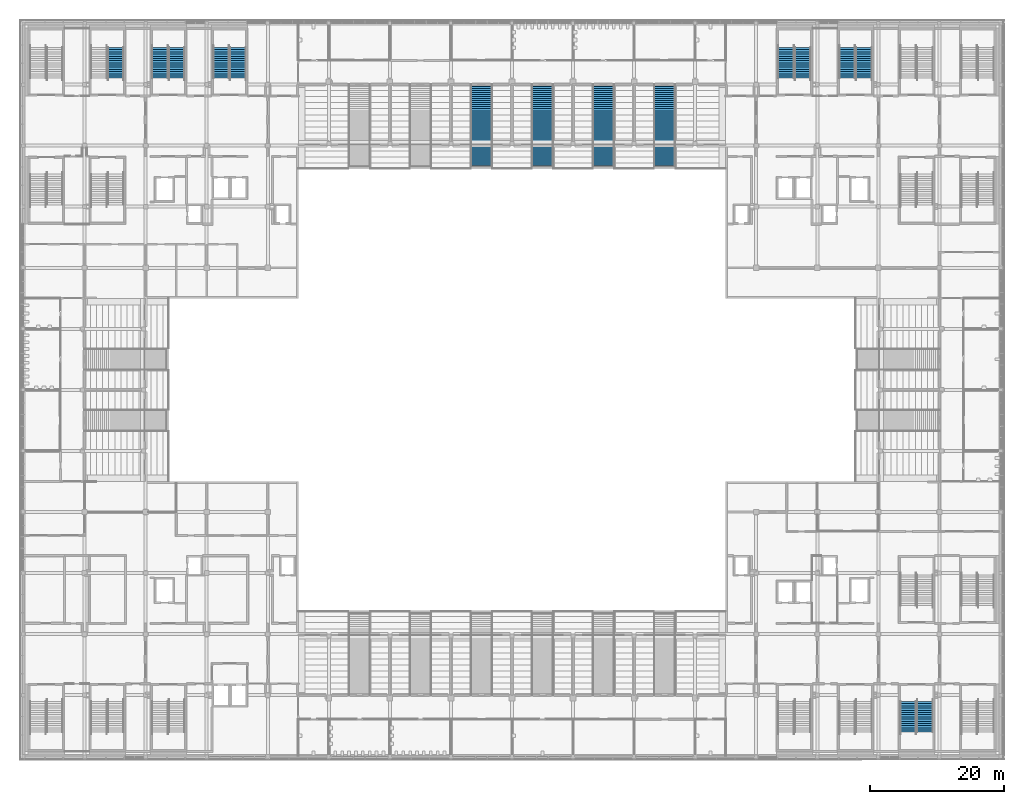
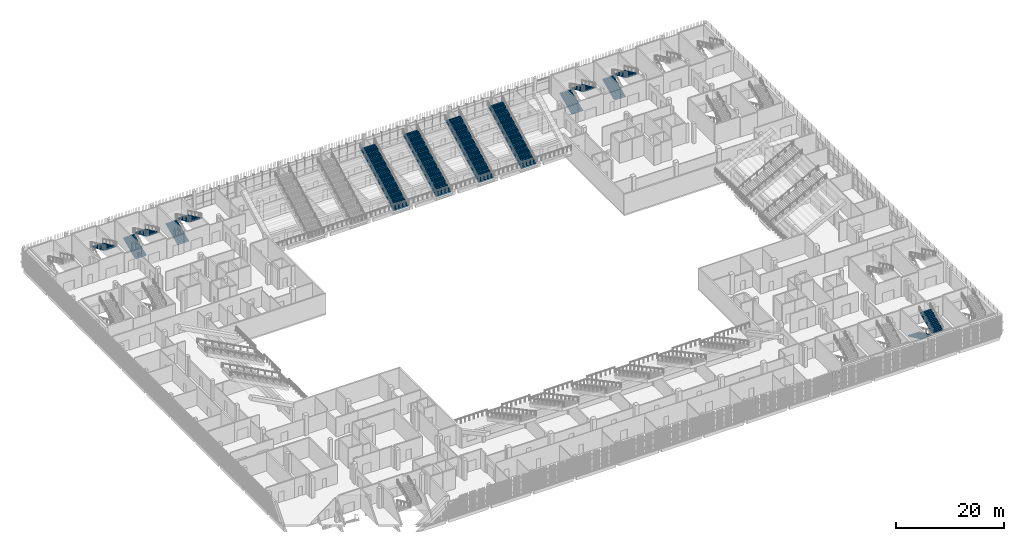
# One storey, part 94 of 139: 15 stair flights, 10 elements without a shape of their own.
"""IFC4 building model written with IfcOpenShell, lengths in metres."""

import ifcopenshell
import ifcopenshell.guid

model = None  # the IFC model being written
_history = None  # IfcOwnerHistory: only IFC2X3 demands one
_inside = {}  # id of a spatial element -> (the spatial element, [elements in it])
_under = {}  # id of a project, library or spatial element -> (it, [spatial elements below it])
_declared = {}  # id of a project -> (the project, [libraries it declares])
_typed = {}  # id of a type object -> (the type object, [elements of that type])
_made_of = {}  # id of a material, layer set ... -> (it, [elements and type objects made of it])


def new_model(schema):
    """Start an empty IFC model of exactly this schema.

    Asked for "IFC4X3", IfcOpenShell would pick the latest addendum, in which some entities
    have other attributes; the version numbers below select the first issue.
    IFC2X3 requires an IfcOwnerHistory on every rooted entity: one is made here for all.
    """
    global model, _history
    if schema == "IFC4X3":
        model = ifcopenshell.file(schema_version=(4, 3, 0, 0))
    else:
        model = ifcopenshell.file(schema=schema)
    _inside.clear()
    _under.clear()
    _declared.clear()
    _typed.clear()
    _made_of.clear()
    _history = None
    if model.schema == "IFC2X3":
        org = make("IfcOrganization", Name="unknown")
        user = make(
            "IfcPersonAndOrganization",
            ThePerson=make("IfcPerson", FamilyName="unknown"),
            TheOrganization=org,
        )
        app = make(
            "IfcApplication",
            ApplicationDeveloper=org,
            Version="unknown",
            ApplicationFullName="unknown",
            ApplicationIdentifier="unknown",
        )
        _history = make(
            "IfcOwnerHistory",
            OwningUser=user,
            OwningApplication=app,
            ChangeAction="ADDED",
            CreationDate=0,
        )
    return model


def make(cls, **values):
    """One entity of the class cls with the attributes given. An attribute that is None is left unset."""
    return model.create_entity(
        cls, **{name: value for name, value in values.items() if value is not None}
    )


def rooted(cls, **values):
    """An entity with a GlobalId (a new one), such as an element, a storey or a relation."""
    return make(cls, GlobalId=ifcopenshell.guid.new(), OwnerHistory=_history, **values)


def si_unit(unit_type, name, prefix=None):
    """IfcSIUnit, for example si_unit("LENGTHUNIT", "METRE", prefix="MILLI")."""
    return make("IfcSIUnit", UnitType=unit_type, Prefix=prefix, Name=name)


def assignment(units):
    """IfcUnitAssignment: the units of a project."""
    return None if units is None else make("IfcUnitAssignment", Units=units)


def point(xyz):
    """IfcCartesianPoint."""
    return None if xyz is None else make("IfcCartesianPoint", Coordinates=xyz)


def direction(xyz):
    """IfcDirection."""
    return None if xyz is None else make("IfcDirection", DirectionRatios=xyz)


def frame(location, z_axis=None, x_axis=None):
    """IfcAxis2Placement3D, a coordinate frame: its origin and axes. An axis left out is left unset."""
    return make(
        "IfcAxis2Placement3D",
        Location=point(location),
        Axis=direction(z_axis),
        RefDirection=direction(x_axis),
    )


def origin():
    """The frame at (0, 0, 0) with its axes left unset."""
    return frame((0.0, 0.0, 0.0))


def place(relative_to, where):
    """IfcLocalPlacement: puts the frame where relative to a parent placement (None: the world)."""
    return make(
        "IfcLocalPlacement", PlacementRelTo=relative_to, RelativePlacement=where
    )


def context(
    kind, dimensions, precision=None, world=None, true_north=None, identifier=None
):
    """IfcGeometricRepresentationContext, for example the 3D "Model" context."""
    return make(
        "IfcGeometricRepresentationContext",
        ContextIdentifier=identifier,
        ContextType=kind,
        CoordinateSpaceDimension=dimensions,
        Precision=precision,
        WorldCoordinateSystem=world,
        TrueNorth=true_north,
    )


def subcontext(parent, identifier, kind, view, scale=None):
    """IfcGeometricRepresentationSubContext, for example "Body" below "Model"."""
    return make(
        "IfcGeometricRepresentationSubContext",
        ContextIdentifier=identifier,
        ContextType=kind,
        ParentContext=parent,
        TargetScale=scale,
        TargetView=view,
    )


def project(units=None, contexts=None):
    """IfcProject with its units and contexts."""
    return rooted(
        "IfcProject",
        Name="project",
        RepresentationContexts=contexts,
        UnitsInContext=assignment(units),
    )


def spatial(cls, under=None, at=None, **own):
    """A site, building, storey or space (cls), placed at a placement, below another one or the project."""
    s = rooted(cls, ObjectPlacement=at, **own)
    if under is not None:
        _under.setdefault(under.id(), (under, []))[1].append(s)
    return s


def polyline(points):
    """IfcPolyline through the points."""
    return make("IfcPolyline", Points=[point(p) for p in points])


def outline(outer, holes=None, kind="AREA"):
    """IfcArbitraryClosedProfileDef: a profile drawn as a closed curve; with holes, ...WithVoids."""
    if holes is None:
        return make("IfcArbitraryClosedProfileDef", ProfileType=kind, OuterCurve=outer)
    return make(
        "IfcArbitraryProfileDefWithVoids",
        ProfileType=kind,
        OuterCurve=outer,
        InnerCurves=holes,
    )


def extrude(swept, where, along, depth):
    """IfcExtrudedAreaSolid: the profile swept, set in the frame where, extruded along a direction by depth."""
    return make(
        "IfcExtrudedAreaSolid",
        SweptArea=swept,
        Position=where,
        ExtrudedDirection=direction(along),
        Depth=depth,
    )


def shape(context_of_items, identifier, shape_type, items):
    """IfcShapeRepresentation: the items that make up one representation, for example the "Body"."""
    return make(
        "IfcShapeRepresentation",
        ContextOfItems=context_of_items,
        RepresentationIdentifier=identifier,
        RepresentationType=shape_type,
        Items=items,
    )


def material(Name=None, Category=None):
    """IfcMaterial."""
    return make("IfcMaterial", Name=Name, Category=Category)


def made_of(thing, what):
    """Note that an element or type object is made of a material, layer set ...; save() writes the relation."""
    if what is not None:
        _made_of.setdefault(what.id(), (what, []))[1].append(thing)
    return thing


def type_object(cls, material=None, **own):
    """A type object (cls), such as IfcWallType, which elements share."""
    return made_of(rooted(cls, **own), material)


def element(
    cls,
    number,
    at=None,
    inside=None,
    cuts=None,
    type_object=None,
    material=None,
    context=None,
    identifier="Body",
    shape_type=None,
    held_by="IfcProductDefinitionShape",
    body=None,
    shapes=None,
    **own,
):
    """One element of the class cls, such as IfcWall. Its Tag is "e" and its number.

    at: its placement. inside: the storey or other place that contains it. cuts: it is an
    opening in that element (IfcRelVoidsElement). A single representation is given by context,
    identifier, shape_type and body (its items); several are given by shapes. held_by: the class
    of the entity that holds the representations. save() writes the other relations.
    """
    e = rooted(cls, Tag="e%d" % number, ObjectPlacement=at, **own)
    if body is not None:
        shapes = [shape(context, identifier, shape_type, body)]
    if shapes is not None:
        e.Representation = make(held_by, Representations=shapes)
    if inside is not None:
        _inside.setdefault(inside.id(), (inside, []))[1].append(e)
    if cuts is not None:
        rooted(
            "IfcRelVoidsElement", RelatingBuildingElement=cuts, RelatedOpeningElement=e
        )
    if type_object is not None:
        _typed.setdefault(type_object.id(), (type_object, []))[1].append(e)
    return made_of(e, material)


def aggregate(whole, parts):
    """IfcRelAggregates: a whole, such as a stair, and the parts it consists of."""
    return rooted("IfcRelAggregates", RelatingObject=whole, RelatedObjects=parts)


def save(model, path):
    """Write the relations noted so far, then the file.

    IfcRelAggregates (storeys below a building ...), IfcRelContainedInSpatialStructure (elements
    in a storey), IfcRelDefinesByType, IfcRelAssociatesMaterial and IfcRelDeclares: one each for
    every whole, place, type object, material and project.
    """
    for whole, parts in _under.values():
        aggregate(whole, parts)
    for where, things in _inside.values():
        rooted(
            "IfcRelContainedInSpatialStructure",
            RelatedElements=things,
            RelatingStructure=where,
        )
    for kind, things in _typed.values():
        rooted("IfcRelDefinesByType", RelatedObjects=things, RelatingType=kind)
    for what, things in _made_of.values():
        rooted("IfcRelAssociatesMaterial", RelatedObjects=things, RelatingMaterial=what)
    for by, libraries in _declared.values():
        rooted("IfcRelDeclares", RelatingContext=by, RelatedDefinitions=libraries)
    model.write(path)


model = new_model("IFC4")

# Units and contexts
model_context = context("Model", 3, precision=1e-05, world=origin(), true_north=direction((0.0, 1.0)))
body_context = subcontext(model_context, "Body", "Model", "MODEL_VIEW")
ifc_project = project(units=[si_unit("LENGTHUNIT", "METRE"), si_unit("AREAUNIT", "SQUARE_METRE"), si_unit("VOLUMEUNIT", "CUBIC_METRE"), si_unit("PLANEANGLEUNIT", "RADIAN"), si_unit("MASSUNIT", "GRAM", prefix="KILO")], contexts=[model_context])

# Site, building, storey
site_placement = place(None, origin())
site = spatial("IfcSite", under=ifc_project, at=site_placement, CompositionType="ELEMENT")
building_placement = place(site_placement, origin())
building = spatial("IfcBuilding", under=site, at=building_placement, Name="Shirokan Park Arena", CompositionType="ELEMENT")
storey_placement = place(building_placement, frame((0.0, 0.0, 15.469970703125)))
storey = spatial("IfcBuildingStorey", under=building, at=storey_placement, Name="L03", CompositionType="ELEMENT", Elevation=15.469970703125)

# Stair, stair flights
ifc_material = material(Name="Concrete C30 precast", Category="concrete")
stair_type_1 = type_object("IfcStairType", Name="Stair 30 risers 152 x 327 2400 wide", PredefinedType="TWO_STRAIGHT_RUN_STAIR", material=ifc_material)
stair_1_placement = place(storey_placement, origin())
stair_1 = element("IfcStair", 1, at=stair_1_placement, inside=storey, type_object=stair_type_1, Name="Exit Stair 2.B L03 to L04", PredefinedType="TWO_STRAIGHT_RUN_STAIR")
stair_flight_type_1 = type_object("IfcStairFlightType", Name="Stair flight 15 risers 152 x 327 2400 wide", PredefinedType="STRAIGHT", material=ifc_material)
stair_flight_1_placement = place(storey_placement, frame((131.85009765625, 8.14990234375, 0.0), z_axis=(0.0, 0.0, 1.0), x_axis=(0.0, -1.0, 0.0)))
stair_flight_1 = element("IfcStairFlight", 2, at=stair_flight_1_placement, type_object=stair_flight_type_1, Name="ST05.4 flight 1", NumberOfRisers=15, NumberOfTreads=14, PredefinedType="STRAIGHT", RiserHeight=0.151666667, TreadLength=0.3267, context=body_context, shape_type="SweptSolid", body=[
    extrude(outline(polyline([(0.0, 0.0), (0.0, 0.151611328125), (0.32666015625, 0.151611328125), (0.32666015625, 0.30322265625), (0.6533203125, 0.30322265625), (0.6533203125, 0.455078125), (0.97998046875, 0.455078125), (0.97998046875, 0.606689453125), (1.306884765625, 0.606689453125), (1.306884765625, 0.75830078125), (1.633544921875, 0.75830078125), (1.633544921875, 0.909912109375), (1.960205078125, 0.909912109375), (1.960205078125, 1.061767578125), (2.286865234375, 1.061767578125), (2.286865234375, 1.21337890625), (2.613525390625, 1.21337890625), (2.613525390625, 1.364990234375), (2.940185546875, 1.364990234375), (2.940185546875, 1.5166015625), (3.26708984375, 1.5166015625), (3.26708984375, 1.668212890625), (3.59375, 1.668212890625), (3.59375, 1.820068359375), (3.92041015625, 1.820068359375), (3.92041015625, 1.9716796875), (4.2470703125, 1.9716796875), (4.2470703125, 2.123291015625), (4.57373046875, 2.123291015625), (4.57373046875, 2.27490234375), (4.57373046875, 1.9580078125), (0.35595703125, 0.0), (0.0, 0.0)])), frame((0.0, 1.199951171875, 0.0), z_axis=(0.0, -1.0, 0.0), x_axis=(1.0, 0.0, 0.0)), (0.0, 0.0, 1.0), 2.39990234375),
])
stair_flight_2_placement = place(storey_placement, frame((134.35009765625, 3.576171875, 2.275146484375), z_axis=(0.0, 0.0, 1.0), x_axis=(0.0, 1.0, 0.0)))
stair_flight_2 = element("IfcStairFlight", 3, at=stair_flight_2_placement, type_object=stair_flight_type_1, Name="ST05.4 flight 2", NumberOfRisers=15, NumberOfTreads=14, PredefinedType="STRAIGHT", RiserHeight=0.151666667, TreadLength=0.3267, context=body_context, shape_type="SweptSolid", body=[
    extrude(outline(polyline([(0.0, 0.0), (0.0, 0.151611328125), (0.32666015625, 0.151611328125), (0.32666015625, 0.30322265625), (0.6533203125, 0.30322265625), (0.6533203125, 0.455078125), (0.97998046875, 0.455078125), (0.97998046875, 0.606689453125), (1.306884765625, 0.606689453125), (1.306884765625, 0.75830078125), (1.633544921875, 0.75830078125), (1.633544921875, 0.909912109375), (1.960205078125, 0.909912109375), (1.960205078125, 1.061767578125), (2.286865234375, 1.061767578125), (2.286865234375, 1.21337890625), (2.613525390625, 1.21337890625), (2.613525390625, 1.364990234375), (2.940185546875, 1.364990234375), (2.940185546875, 1.5166015625), (3.26708984375, 1.5166015625), (3.26708984375, 1.668212890625), (3.59375, 1.668212890625), (3.59375, 1.820068359375), (3.92041015625, 1.820068359375), (3.92041015625, 1.9716796875), (4.2470703125, 1.9716796875), (4.2470703125, 2.123291015625), (4.57373046875, 2.123291015625), (4.57373046875, 2.27490234375), (4.57373046875, 1.9580078125), (0.35595703125, 0.0), (0.0, 0.0)])), frame((0.0, 1.199951171875, 0.0), z_axis=(0.0, -1.0, 0.0), x_axis=(1.0, 0.0, 0.0)), (0.0, 0.0, 1.0), 2.39990234375),
])
aggregate(stair_1, [stair_flight_1, stair_flight_2])

# Stair, stair flight
stair_2_placement = place(storey_placement, origin())
stair_2 = element("IfcStair", 4, at=stair_2_placement, inside=storey, type_object=stair_type_1, Name="Exit Stair 4.B L03 to L04", PredefinedType="TWO_STRAIGHT_RUN_STAIR")
stair_flight_3_placement = place(storey_placement, frame((13.75, 105.623779296875, 2.275146484375), z_axis=(0.0, 0.0, 1.0), x_axis=(0.0, -1.0, 0.0)))
stair_flight_3 = element("IfcStairFlight", 5, at=stair_flight_3_placement, type_object=stair_flight_type_1, Name="ST11.4 flight 2", NumberOfRisers=15, NumberOfTreads=14, PredefinedType="STRAIGHT", RiserHeight=0.151666667, TreadLength=0.3267, context=body_context, shape_type="SweptSolid", body=[
    extrude(outline(polyline([(0.0, 0.0), (0.0, 0.151611328125), (0.32666015625, 0.151611328125), (0.32666015625, 0.30322265625), (0.6533203125, 0.30322265625), (0.6533203125, 0.455078125), (0.97998046875, 0.455078125), (0.97998046875, 0.606689453125), (1.306884765625, 0.606689453125), (1.306884765625, 0.75830078125), (1.633544921875, 0.75830078125), (1.633544921875, 0.909912109375), (1.960205078125, 0.909912109375), (1.960205078125, 1.061767578125), (2.286865234375, 1.061767578125), (2.286865234375, 1.21337890625), (2.613525390625, 1.21337890625), (2.613525390625, 1.364990234375), (2.940185546875, 1.364990234375), (2.940185546875, 1.5166015625), (3.26708984375, 1.5166015625), (3.26708984375, 1.668212890625), (3.59375, 1.668212890625), (3.59375, 1.820068359375), (3.92041015625, 1.820068359375), (3.92041015625, 1.9716796875), (4.2470703125, 1.9716796875), (4.2470703125, 2.123291015625), (4.57373046875, 2.123291015625), (4.57373046875, 2.27490234375), (4.57373046875, 1.9580078125), (0.35595703125, 0.0), (0.0, 0.0)])), frame((0.0, 1.199951171875, 0.0), z_axis=(0.0, -1.0, 0.0), x_axis=(1.0, 0.0, 0.0)), (0.0, 0.0, 1.0), 2.39990234375),
])
aggregate(stair_2, [stair_flight_3])

# Stair, stair flights
stair_3_placement = place(storey_placement, origin())
stair_3 = element("IfcStair", 6, at=stair_3_placement, inside=storey, type_object=stair_type_1, Name="Exit Stair 4.C L03 to L04", PredefinedType="TWO_STRAIGHT_RUN_STAIR")
stair_flight_4_placement = place(storey_placement, frame((20.35009765625, 101.050048828125, 0.0), z_axis=(0.0, 0.0, 1.0), x_axis=(0.0, 1.0, 0.0)))
stair_flight_4 = element("IfcStairFlight", 7, at=stair_flight_4_placement, type_object=stair_flight_type_1, Name="ST12.4 flight 1", NumberOfRisers=15, NumberOfTreads=14, PredefinedType="STRAIGHT", RiserHeight=0.151666667, TreadLength=0.3267, context=body_context, shape_type="SweptSolid", body=[
    extrude(outline(polyline([(0.0, 0.0), (0.0, 0.151611328125), (0.32666015625, 0.151611328125), (0.32666015625, 0.30322265625), (0.6533203125, 0.30322265625), (0.6533203125, 0.455078125), (0.97998046875, 0.455078125), (0.97998046875, 0.606689453125), (1.306884765625, 0.606689453125), (1.306884765625, 0.75830078125), (1.633544921875, 0.75830078125), (1.633544921875, 0.909912109375), (1.960205078125, 0.909912109375), (1.960205078125, 1.061767578125), (2.286865234375, 1.061767578125), (2.286865234375, 1.21337890625), (2.613525390625, 1.21337890625), (2.613525390625, 1.364990234375), (2.940185546875, 1.364990234375), (2.940185546875, 1.5166015625), (3.26708984375, 1.5166015625), (3.26708984375, 1.668212890625), (3.59375, 1.668212890625), (3.59375, 1.820068359375), (3.92041015625, 1.820068359375), (3.92041015625, 1.9716796875), (4.2470703125, 1.9716796875), (4.2470703125, 2.123291015625), (4.57373046875, 2.123291015625), (4.57373046875, 2.27490234375), (4.57373046875, 1.9580078125), (0.35595703125, 0.0), (0.0, 0.0)])), frame((0.0, 1.199951171875, 0.0), z_axis=(0.0, -1.0, 0.0), x_axis=(1.0, 0.0, 0.0)), (0.0, 0.0, 1.0), 2.39990234375),
])
stair_flight_5_placement = place(storey_placement, frame((22.85009765625, 105.623779296875, 2.275146484375), z_axis=(0.0, 0.0, 1.0), x_axis=(0.0, -1.0, 0.0)))
stair_flight_5 = element("IfcStairFlight", 8, at=stair_flight_5_placement, type_object=stair_flight_type_1, Name="ST12.4 flight 2", NumberOfRisers=15, NumberOfTreads=14, PredefinedType="STRAIGHT", RiserHeight=0.151666667, TreadLength=0.3267, context=body_context, shape_type="SweptSolid", body=[
    extrude(outline(polyline([(0.0, 0.0), (0.0, 0.151611328125), (0.32666015625, 0.151611328125), (0.32666015625, 0.30322265625), (0.6533203125, 0.30322265625), (0.6533203125, 0.455078125), (0.97998046875, 0.455078125), (0.97998046875, 0.606689453125), (1.306884765625, 0.606689453125), (1.306884765625, 0.75830078125), (1.633544921875, 0.75830078125), (1.633544921875, 0.909912109375), (1.960205078125, 0.909912109375), (1.960205078125, 1.061767578125), (2.286865234375, 1.061767578125), (2.286865234375, 1.21337890625), (2.613525390625, 1.21337890625), (2.613525390625, 1.364990234375), (2.940185546875, 1.364990234375), (2.940185546875, 1.5166015625), (3.26708984375, 1.5166015625), (3.26708984375, 1.668212890625), (3.59375, 1.668212890625), (3.59375, 1.820068359375), (3.92041015625, 1.820068359375), (3.92041015625, 1.9716796875), (4.2470703125, 1.9716796875), (4.2470703125, 2.123291015625), (4.57373046875, 2.123291015625), (4.57373046875, 2.27490234375), (4.57373046875, 1.9580078125), (0.35595703125, 0.0), (0.0, 0.0)])), frame((0.0, 1.199951171875, 0.0), z_axis=(0.0, -1.0, 0.0), x_axis=(1.0, 0.0, 0.0)), (0.0, 0.0, 1.0), 2.39990234375),
])
aggregate(stair_3, [stair_flight_4, stair_flight_5])

stair_4_placement = place(storey_placement, origin())
stair_4 = element("IfcStair", 9, at=stair_4_placement, inside=storey, type_object=stair_type_1, Name="Exit Stair 4.D L03 to L04", PredefinedType="TWO_STRAIGHT_RUN_STAIR")
stair_flight_6_placement = place(storey_placement, frame((29.449951171875, 101.050048828125, 0.0), z_axis=(0.0, 0.0, 1.0), x_axis=(0.0, 1.0, 0.0)))
stair_flight_6 = element("IfcStairFlight", 10, at=stair_flight_6_placement, type_object=stair_flight_type_1, Name="ST13.4 flight 1", NumberOfRisers=15, NumberOfTreads=14, PredefinedType="STRAIGHT", RiserHeight=0.151666667, TreadLength=0.3267, context=body_context, shape_type="SweptSolid", body=[
    extrude(outline(polyline([(0.0, 0.0), (0.0, 0.151611328125), (0.32666015625, 0.151611328125), (0.32666015625, 0.30322265625), (0.6533203125, 0.30322265625), (0.6533203125, 0.455078125), (0.97998046875, 0.455078125), (0.97998046875, 0.606689453125), (1.306884765625, 0.606689453125), (1.306884765625, 0.75830078125), (1.633544921875, 0.75830078125), (1.633544921875, 0.909912109375), (1.960205078125, 0.909912109375), (1.960205078125, 1.061767578125), (2.286865234375, 1.061767578125), (2.286865234375, 1.21337890625), (2.613525390625, 1.21337890625), (2.613525390625, 1.364990234375), (2.940185546875, 1.364990234375), (2.940185546875, 1.5166015625), (3.26708984375, 1.5166015625), (3.26708984375, 1.668212890625), (3.59375, 1.668212890625), (3.59375, 1.820068359375), (3.92041015625, 1.820068359375), (3.92041015625, 1.9716796875), (4.2470703125, 1.9716796875), (4.2470703125, 2.123291015625), (4.57373046875, 2.123291015625), (4.57373046875, 2.27490234375), (4.57373046875, 1.9580078125), (0.35595703125, 0.0), (0.0, 0.0)])), frame((0.0, 1.199951171875, 0.0), z_axis=(0.0, -1.0, 0.0), x_axis=(1.0, 0.0, 0.0)), (0.0, 0.0, 1.0), 2.39990234375),
])
stair_flight_7_placement = place(storey_placement, frame((31.949951171875, 105.623779296875, 2.275146484375), z_axis=(0.0, 0.0, 1.0), x_axis=(0.0, -1.0, 0.0)))
stair_flight_7 = element("IfcStairFlight", 11, at=stair_flight_7_placement, type_object=stair_flight_type_1, Name="ST13.4 flight 2", NumberOfRisers=15, NumberOfTreads=14, PredefinedType="STRAIGHT", RiserHeight=0.151666667, TreadLength=0.3267, context=body_context, shape_type="SweptSolid", body=[
    extrude(outline(polyline([(0.0, 0.0), (0.0, 0.151611328125), (0.32666015625, 0.151611328125), (0.32666015625, 0.30322265625), (0.6533203125, 0.30322265625), (0.6533203125, 0.455078125), (0.97998046875, 0.455078125), (0.97998046875, 0.606689453125), (1.306884765625, 0.606689453125), (1.306884765625, 0.75830078125), (1.633544921875, 0.75830078125), (1.633544921875, 0.909912109375), (1.960205078125, 0.909912109375), (1.960205078125, 1.061767578125), (2.286865234375, 1.061767578125), (2.286865234375, 1.21337890625), (2.613525390625, 1.21337890625), (2.613525390625, 1.364990234375), (2.940185546875, 1.364990234375), (2.940185546875, 1.5166015625), (3.26708984375, 1.5166015625), (3.26708984375, 1.668212890625), (3.59375, 1.668212890625), (3.59375, 1.820068359375), (3.92041015625, 1.820068359375), (3.92041015625, 1.9716796875), (4.2470703125, 1.9716796875), (4.2470703125, 2.123291015625), (4.57373046875, 2.123291015625), (4.57373046875, 2.27490234375), (4.57373046875, 1.9580078125), (0.35595703125, 0.0), (0.0, 0.0)])), frame((0.0, 1.199951171875, 0.0), z_axis=(0.0, -1.0, 0.0), x_axis=(1.0, 0.0, 0.0)), (0.0, 0.0, 1.0), 2.39990234375),
])
aggregate(stair_4, [stair_flight_6, stair_flight_7])

stair_5_placement = place(storey_placement, origin())
stair_5 = element("IfcStair", 12, at=stair_5_placement, inside=storey, type_object=stair_type_1, Name="Exit Stair 3.C L03 to L04", PredefinedType="TWO_STRAIGHT_RUN_STAIR")
stair_flight_8_placement = place(storey_placement, frame((122.75, 101.050048828125, 0.0), z_axis=(0.0, 0.0, 1.0), x_axis=(0.0, 1.0, 0.0)))
stair_flight_8 = element("IfcStairFlight", 13, at=stair_flight_8_placement, type_object=stair_flight_type_1, Name="ST18.4 flight 1", NumberOfRisers=15, NumberOfTreads=14, PredefinedType="STRAIGHT", RiserHeight=0.151666667, TreadLength=0.3267, context=body_context, shape_type="SweptSolid", body=[
    extrude(outline(polyline([(0.0, 0.0), (0.0, 0.151611328125), (0.32666015625, 0.151611328125), (0.32666015625, 0.30322265625), (0.6533203125, 0.30322265625), (0.6533203125, 0.455078125), (0.97998046875, 0.455078125), (0.97998046875, 0.606689453125), (1.306884765625, 0.606689453125), (1.306884765625, 0.75830078125), (1.633544921875, 0.75830078125), (1.633544921875, 0.909912109375), (1.960205078125, 0.909912109375), (1.960205078125, 1.061767578125), (2.286865234375, 1.061767578125), (2.286865234375, 1.21337890625), (2.613525390625, 1.21337890625), (2.613525390625, 1.364990234375), (2.940185546875, 1.364990234375), (2.940185546875, 1.5166015625), (3.26708984375, 1.5166015625), (3.26708984375, 1.668212890625), (3.59375, 1.668212890625), (3.59375, 1.820068359375), (3.92041015625, 1.820068359375), (3.92041015625, 1.9716796875), (4.2470703125, 1.9716796875), (4.2470703125, 2.123291015625), (4.57373046875, 2.123291015625), (4.57373046875, 2.27490234375), (4.57373046875, 1.9580078125), (0.35595703125, 0.0), (0.0, 0.0)])), frame((0.0, 1.199951171875, 0.0), z_axis=(0.0, -1.0, 0.0), x_axis=(1.0, 0.0, 0.0)), (0.0, 0.0, 1.0), 2.39990234375),
])
stair_flight_9_placement = place(storey_placement, frame((125.25, 105.623779296875, 2.275146484375), z_axis=(0.0, 0.0, 1.0), x_axis=(0.0, -1.0, 0.0)))
stair_flight_9 = element("IfcStairFlight", 14, at=stair_flight_9_placement, type_object=stair_flight_type_1, Name="ST18.4 flight 2", NumberOfRisers=15, NumberOfTreads=14, PredefinedType="STRAIGHT", RiserHeight=0.151666667, TreadLength=0.3267, context=body_context, shape_type="SweptSolid", body=[
    extrude(outline(polyline([(0.0, 0.0), (0.0, 0.151611328125), (0.32666015625, 0.151611328125), (0.32666015625, 0.30322265625), (0.6533203125, 0.30322265625), (0.6533203125, 0.455078125), (0.97998046875, 0.455078125), (0.97998046875, 0.606689453125), (1.306884765625, 0.606689453125), (1.306884765625, 0.75830078125), (1.633544921875, 0.75830078125), (1.633544921875, 0.909912109375), (1.960205078125, 0.909912109375), (1.960205078125, 1.061767578125), (2.286865234375, 1.061767578125), (2.286865234375, 1.21337890625), (2.613525390625, 1.21337890625), (2.613525390625, 1.364990234375), (2.940185546875, 1.364990234375), (2.940185546875, 1.5166015625), (3.26708984375, 1.5166015625), (3.26708984375, 1.668212890625), (3.59375, 1.668212890625), (3.59375, 1.820068359375), (3.92041015625, 1.820068359375), (3.92041015625, 1.9716796875), (4.2470703125, 1.9716796875), (4.2470703125, 2.123291015625), (4.57373046875, 2.123291015625), (4.57373046875, 2.27490234375), (4.57373046875, 1.9580078125), (0.35595703125, 0.0), (0.0, 0.0)])), frame((0.0, 1.199951171875, 0.0), z_axis=(0.0, -1.0, 0.0), x_axis=(1.0, 0.0, 0.0)), (0.0, 0.0, 1.0), 2.39990234375),
])
aggregate(stair_5, [stair_flight_8, stair_flight_9])

stair_6_placement = place(storey_placement, origin())
stair_6 = element("IfcStair", 15, at=stair_6_placement, inside=storey, type_object=stair_type_1, Name="Exit Stair 3.D L03 to L04", PredefinedType="TWO_STRAIGHT_RUN_STAIR")
stair_flight_10_placement = place(storey_placement, frame((113.64990234375, 101.050048828125, 0.0), z_axis=(0.0, 0.0, 1.0), x_axis=(0.0, 1.0, 0.0)))
stair_flight_10 = element("IfcStairFlight", 16, at=stair_flight_10_placement, type_object=stair_flight_type_1, Name="ST19.4 flight 1", NumberOfRisers=15, NumberOfTreads=14, PredefinedType="STRAIGHT", RiserHeight=0.151666667, TreadLength=0.3267, context=body_context, shape_type="SweptSolid", body=[
    extrude(outline(polyline([(0.0, 0.0), (0.0, 0.151611328125), (0.32666015625, 0.151611328125), (0.32666015625, 0.30322265625), (0.6533203125, 0.30322265625), (0.6533203125, 0.455078125), (0.97998046875, 0.455078125), (0.97998046875, 0.606689453125), (1.306884765625, 0.606689453125), (1.306884765625, 0.75830078125), (1.633544921875, 0.75830078125), (1.633544921875, 0.909912109375), (1.960205078125, 0.909912109375), (1.960205078125, 1.061767578125), (2.286865234375, 1.061767578125), (2.286865234375, 1.21337890625), (2.613525390625, 1.21337890625), (2.613525390625, 1.364990234375), (2.940185546875, 1.364990234375), (2.940185546875, 1.5166015625), (3.26708984375, 1.5166015625), (3.26708984375, 1.668212890625), (3.59375, 1.668212890625), (3.59375, 1.820068359375), (3.92041015625, 1.820068359375), (3.92041015625, 1.9716796875), (4.2470703125, 1.9716796875), (4.2470703125, 2.123291015625), (4.57373046875, 2.123291015625), (4.57373046875, 2.27490234375), (4.57373046875, 1.9580078125), (0.35595703125, 0.0), (0.0, 0.0)])), frame((0.0, 1.199951171875, 0.0), z_axis=(0.0, -1.0, 0.0), x_axis=(1.0, 0.0, 0.0)), (0.0, 0.0, 1.0), 2.39990234375),
])
stair_flight_11_placement = place(storey_placement, frame((116.14990234375, 105.623779296875, 2.275146484375), z_axis=(0.0, 0.0, 1.0), x_axis=(0.0, -1.0, 0.0)))
stair_flight_11 = element("IfcStairFlight", 17, at=stair_flight_11_placement, type_object=stair_flight_type_1, Name="ST19.4 flight 2", NumberOfRisers=15, NumberOfTreads=14, PredefinedType="STRAIGHT", RiserHeight=0.151666667, TreadLength=0.3267, context=body_context, shape_type="SweptSolid", body=[
    extrude(outline(polyline([(0.0, 0.0), (0.0, 0.151611328125), (0.32666015625, 0.151611328125), (0.32666015625, 0.30322265625), (0.6533203125, 0.30322265625), (0.6533203125, 0.455078125), (0.97998046875, 0.455078125), (0.97998046875, 0.606689453125), (1.306884765625, 0.606689453125), (1.306884765625, 0.75830078125), (1.633544921875, 0.75830078125), (1.633544921875, 0.909912109375), (1.960205078125, 0.909912109375), (1.960205078125, 1.061767578125), (2.286865234375, 1.061767578125), (2.286865234375, 1.21337890625), (2.613525390625, 1.21337890625), (2.613525390625, 1.364990234375), (2.940185546875, 1.364990234375), (2.940185546875, 1.5166015625), (3.26708984375, 1.5166015625), (3.26708984375, 1.668212890625), (3.59375, 1.668212890625), (3.59375, 1.820068359375), (3.92041015625, 1.820068359375), (3.92041015625, 1.9716796875), (4.2470703125, 1.9716796875), (4.2470703125, 2.123291015625), (4.57373046875, 2.123291015625), (4.57373046875, 2.27490234375), (4.57373046875, 1.9580078125), (0.35595703125, 0.0), (0.0, 0.0)])), frame((0.0, 1.199951171875, 0.0), z_axis=(0.0, -1.0, 0.0), x_axis=(1.0, 0.0, 0.0)), (0.0, 0.0, 1.0), 2.39990234375),
])
aggregate(stair_6, [stair_flight_10, stair_flight_11])

# Stair, stair flight
stair_type_2 = type_object("IfcStairType", Name="Stair 42 risers 160 x 300 3200 wide", PredefinedType="STRAIGHT_RUN_STAIR", material=ifc_material)
stair_7_placement = place(storey_placement, origin())
stair_7 = element("IfcStair", 18, at=stair_7_placement, inside=storey, type_object=stair_type_2, Name="Vomitory stair N3 upper", PredefinedType="STRAIGHT_RUN_STAIR")
stair_flight_type_2 = type_object("IfcStairFlightType", Name="Stair flight 42 risers 160 x 300 3200 wide", PredefinedType="STRAIGHT", material=ifc_material)
stair_flight_12_placement = place(storey_placement, frame((68.25, 87.800048828125, 2.380126953125), z_axis=(0.0, 0.0, 1.0), x_axis=(0.0, 1.0, 0.0)))
stair_flight_12 = element("IfcStairFlight", 19, at=stair_flight_12_placement, type_object=stair_flight_type_2, Name="VS-N3U flight 1", NumberOfRisers=42, NumberOfTreads=41, PredefinedType="STRAIGHT", RiserHeight=0.16, TreadLength=0.3, context=body_context, shape_type="SweptSolid", body=[
    extrude(outline(polyline([(0.0, -0.2265625), (0.0, 0.0), (0.0, 0.159912109375), (0.300048828125, 0.159912109375), (0.300048828125, 0.320068359375), (0.60009765625, 0.320068359375), (0.60009765625, 0.47998046875), (0.89990234375, 0.47998046875), (0.89990234375, 0.639892578125), (1.199951171875, 0.639892578125), (1.199951171875, 0.800048828125), (1.5, 0.800048828125), (1.5, 0.9599609375), (1.800048828125, 0.9599609375), (1.800048828125, 1.1201171875), (2.10009765625, 1.1201171875), (2.10009765625, 1.280029296875), (2.39990234375, 1.280029296875), (2.39990234375, 1.43994140625), (2.699951171875, 1.43994140625), (2.699951171875, 1.60009765625), (3.0, 1.60009765625), (3.0, 1.760009765625), (3.300048828125, 1.760009765625), (3.300048828125, 1.919921875), (3.60009765625, 1.919921875), (3.60009765625, 2.080078125), (3.89990234375, 2.080078125), (3.89990234375, 2.239990234375), (4.199951171875, 2.239990234375), (4.199951171875, 2.39990234375), (4.5, 2.39990234375), (4.5, 2.56005859375), (4.800048828125, 2.56005859375), (4.800048828125, 2.719970703125), (5.10009765625, 2.719970703125), (5.10009765625, 2.8798828125), (5.39990234375, 2.8798828125), (5.39990234375, 3.0400390625), (5.699951171875, 3.0400390625), (5.699951171875, 3.199951171875), (6.0, 3.199951171875), (6.0, 3.360107421875), (6.300048828125, 3.360107421875), (6.300048828125, 3.52001953125), (6.60009765625, 3.52001953125), (6.60009765625, 3.679931640625), (6.89990234375, 3.679931640625), (6.89990234375, 3.840087890625), (7.199951171875, 3.840087890625), (7.199951171875, 4.0), (7.5, 4.0), (7.5, 4.159912109375), (7.800048828125, 4.159912109375), (7.800048828125, 4.320068359375), (8.10009765625, 4.320068359375), (8.10009765625, 4.47998046875), (8.39990234375, 4.47998046875), (8.39990234375, 4.639892578125), (8.699951171875, 4.639892578125), (8.699951171875, 4.800048828125), (9.0, 4.800048828125), (9.0, 4.9599609375), (9.300048828125, 4.9599609375), (9.300048828125, 5.1201171875), (9.60009765625, 5.1201171875), (9.60009765625, 5.280029296875), (9.89990234375, 5.280029296875), (9.89990234375, 5.43994140625), (10.199951171875, 5.43994140625), (10.199951171875, 5.60009765625), (10.5, 5.60009765625), (10.5, 5.760009765625), (10.800048828125, 5.760009765625), (10.800048828125, 5.919921875), (11.10009765625, 5.919921875), (11.10009765625, 6.080078125), (11.39990234375, 6.080078125), (11.39990234375, 6.239990234375), (11.699951171875, 6.239990234375), (11.699951171875, 6.39990234375), (12.0, 6.39990234375), (12.0, 6.56005859375), (12.300048828125, 6.56005859375), (12.300048828125, 6.719970703125), (12.300048828125, 6.33349609375), (0.0, -0.2265625)])), frame((0.0, 1.60009765625, 0.0), z_axis=(0.0, -1.0, 0.0), x_axis=(1.0, 0.0, 0.0)), (0.0, 0.0, 1.0), 3.199951171875),
])
aggregate(stair_7, [stair_flight_12])

stair_8_placement = place(storey_placement, origin())
stair_8 = element("IfcStair", 20, at=stair_8_placement, inside=storey, type_object=stair_type_2, Name="Vomitory stair N4 upper", PredefinedType="STRAIGHT_RUN_STAIR")
stair_flight_13_placement = place(storey_placement, frame((77.35009765625, 87.800048828125, 2.380126953125), z_axis=(0.0, 0.0, 1.0), x_axis=(0.0, 1.0, 0.0)))
stair_flight_13 = element("IfcStairFlight", 21, at=stair_flight_13_placement, type_object=stair_flight_type_2, Name="VS-N4U flight 1", NumberOfRisers=42, NumberOfTreads=41, PredefinedType="STRAIGHT", RiserHeight=0.16, TreadLength=0.3, context=body_context, shape_type="SweptSolid", body=[
    extrude(outline(polyline([(0.0, -0.2265625), (0.0, 0.0), (0.0, 0.159912109375), (0.300048828125, 0.159912109375), (0.300048828125, 0.320068359375), (0.60009765625, 0.320068359375), (0.60009765625, 0.47998046875), (0.89990234375, 0.47998046875), (0.89990234375, 0.639892578125), (1.199951171875, 0.639892578125), (1.199951171875, 0.800048828125), (1.5, 0.800048828125), (1.5, 0.9599609375), (1.800048828125, 0.9599609375), (1.800048828125, 1.1201171875), (2.10009765625, 1.1201171875), (2.10009765625, 1.280029296875), (2.39990234375, 1.280029296875), (2.39990234375, 1.43994140625), (2.699951171875, 1.43994140625), (2.699951171875, 1.60009765625), (3.0, 1.60009765625), (3.0, 1.760009765625), (3.300048828125, 1.760009765625), (3.300048828125, 1.919921875), (3.60009765625, 1.919921875), (3.60009765625, 2.080078125), (3.89990234375, 2.080078125), (3.89990234375, 2.239990234375), (4.199951171875, 2.239990234375), (4.199951171875, 2.39990234375), (4.5, 2.39990234375), (4.5, 2.56005859375), (4.800048828125, 2.56005859375), (4.800048828125, 2.719970703125), (5.10009765625, 2.719970703125), (5.10009765625, 2.8798828125), (5.39990234375, 2.8798828125), (5.39990234375, 3.0400390625), (5.699951171875, 3.0400390625), (5.699951171875, 3.199951171875), (6.0, 3.199951171875), (6.0, 3.360107421875), (6.300048828125, 3.360107421875), (6.300048828125, 3.52001953125), (6.60009765625, 3.52001953125), (6.60009765625, 3.679931640625), (6.89990234375, 3.679931640625), (6.89990234375, 3.840087890625), (7.199951171875, 3.840087890625), (7.199951171875, 4.0), (7.5, 4.0), (7.5, 4.159912109375), (7.800048828125, 4.159912109375), (7.800048828125, 4.320068359375), (8.10009765625, 4.320068359375), (8.10009765625, 4.47998046875), (8.39990234375, 4.47998046875), (8.39990234375, 4.639892578125), (8.699951171875, 4.639892578125), (8.699951171875, 4.800048828125), (9.0, 4.800048828125), (9.0, 4.9599609375), (9.300048828125, 4.9599609375), (9.300048828125, 5.1201171875), (9.60009765625, 5.1201171875), (9.60009765625, 5.280029296875), (9.89990234375, 5.280029296875), (9.89990234375, 5.43994140625), (10.199951171875, 5.43994140625), (10.199951171875, 5.60009765625), (10.5, 5.60009765625), (10.5, 5.760009765625), (10.800048828125, 5.760009765625), (10.800048828125, 5.919921875), (11.10009765625, 5.919921875), (11.10009765625, 6.080078125), (11.39990234375, 6.080078125), (11.39990234375, 6.239990234375), (11.699951171875, 6.239990234375), (11.699951171875, 6.39990234375), (12.0, 6.39990234375), (12.0, 6.56005859375), (12.300048828125, 6.56005859375), (12.300048828125, 6.719970703125), (12.300048828125, 6.33349609375), (0.0, -0.2265625)])), frame((0.0, 1.60009765625, 0.0), z_axis=(0.0, -1.0, 0.0), x_axis=(1.0, 0.0, 0.0)), (0.0, 0.0, 1.0), 3.199951171875),
])
aggregate(stair_8, [stair_flight_13])

stair_9_placement = place(storey_placement, origin())
stair_9 = element("IfcStair", 22, at=stair_9_placement, inside=storey, type_object=stair_type_2, Name="Vomitory stair N5 upper", PredefinedType="STRAIGHT_RUN_STAIR")
stair_flight_14_placement = place(storey_placement, frame((86.449951171875, 87.800048828125, 2.380126953125), z_axis=(0.0, 0.0, 1.0), x_axis=(0.0, 1.0, 0.0)))
stair_flight_14 = element("IfcStairFlight", 23, at=stair_flight_14_placement, type_object=stair_flight_type_2, Name="VS-N5U flight 1", NumberOfRisers=42, NumberOfTreads=41, PredefinedType="STRAIGHT", RiserHeight=0.16, TreadLength=0.3, context=body_context, shape_type="SweptSolid", body=[
    extrude(outline(polyline([(0.0, -0.2265625), (0.0, 0.0), (0.0, 0.159912109375), (0.300048828125, 0.159912109375), (0.300048828125, 0.320068359375), (0.60009765625, 0.320068359375), (0.60009765625, 0.47998046875), (0.89990234375, 0.47998046875), (0.89990234375, 0.639892578125), (1.199951171875, 0.639892578125), (1.199951171875, 0.800048828125), (1.5, 0.800048828125), (1.5, 0.9599609375), (1.800048828125, 0.9599609375), (1.800048828125, 1.1201171875), (2.10009765625, 1.1201171875), (2.10009765625, 1.280029296875), (2.39990234375, 1.280029296875), (2.39990234375, 1.43994140625), (2.699951171875, 1.43994140625), (2.699951171875, 1.60009765625), (3.0, 1.60009765625), (3.0, 1.760009765625), (3.300048828125, 1.760009765625), (3.300048828125, 1.919921875), (3.60009765625, 1.919921875), (3.60009765625, 2.080078125), (3.89990234375, 2.080078125), (3.89990234375, 2.239990234375), (4.199951171875, 2.239990234375), (4.199951171875, 2.39990234375), (4.5, 2.39990234375), (4.5, 2.56005859375), (4.800048828125, 2.56005859375), (4.800048828125, 2.719970703125), (5.10009765625, 2.719970703125), (5.10009765625, 2.8798828125), (5.39990234375, 2.8798828125), (5.39990234375, 3.0400390625), (5.699951171875, 3.0400390625), (5.699951171875, 3.199951171875), (6.0, 3.199951171875), (6.0, 3.360107421875), (6.300048828125, 3.360107421875), (6.300048828125, 3.52001953125), (6.60009765625, 3.52001953125), (6.60009765625, 3.679931640625), (6.89990234375, 3.679931640625), (6.89990234375, 3.840087890625), (7.199951171875, 3.840087890625), (7.199951171875, 4.0), (7.5, 4.0), (7.5, 4.159912109375), (7.800048828125, 4.159912109375), (7.800048828125, 4.320068359375), (8.10009765625, 4.320068359375), (8.10009765625, 4.47998046875), (8.39990234375, 4.47998046875), (8.39990234375, 4.639892578125), (8.699951171875, 4.639892578125), (8.699951171875, 4.800048828125), (9.0, 4.800048828125), (9.0, 4.9599609375), (9.300048828125, 4.9599609375), (9.300048828125, 5.1201171875), (9.60009765625, 5.1201171875), (9.60009765625, 5.280029296875), (9.89990234375, 5.280029296875), (9.89990234375, 5.43994140625), (10.199951171875, 5.43994140625), (10.199951171875, 5.60009765625), (10.5, 5.60009765625), (10.5, 5.760009765625), (10.800048828125, 5.760009765625), (10.800048828125, 5.919921875), (11.10009765625, 5.919921875), (11.10009765625, 6.080078125), (11.39990234375, 6.080078125), (11.39990234375, 6.239990234375), (11.699951171875, 6.239990234375), (11.699951171875, 6.39990234375), (12.0, 6.39990234375), (12.0, 6.56005859375), (12.300048828125, 6.56005859375), (12.300048828125, 6.719970703125), (12.300048828125, 6.33349609375), (0.0, -0.2265625)])), frame((0.0, 1.60009765625, 0.0), z_axis=(0.0, -1.0, 0.0), x_axis=(1.0, 0.0, 0.0)), (0.0, 0.0, 1.0), 3.199951171875),
])
aggregate(stair_9, [stair_flight_14])

stair_10_placement = place(storey_placement, origin())
stair_10 = element("IfcStair", 24, at=stair_10_placement, inside=storey, type_object=stair_type_2, Name="Vomitory stair N6 upper", PredefinedType="STRAIGHT_RUN_STAIR")
stair_flight_15_placement = place(storey_placement, frame((95.550048828125, 87.800048828125, 2.380126953125), z_axis=(0.0, 0.0, 1.0), x_axis=(0.0, 1.0, 0.0)))
stair_flight_15 = element("IfcStairFlight", 25, at=stair_flight_15_placement, type_object=stair_flight_type_2, Name="VS-N6U flight 1", NumberOfRisers=42, NumberOfTreads=41, PredefinedType="STRAIGHT", RiserHeight=0.16, TreadLength=0.3, context=body_context, shape_type="SweptSolid", body=[
    extrude(outline(polyline([(0.0, -0.2265625), (0.0, 0.0), (0.0, 0.159912109375), (0.300048828125, 0.159912109375), (0.300048828125, 0.320068359375), (0.60009765625, 0.320068359375), (0.60009765625, 0.47998046875), (0.89990234375, 0.47998046875), (0.89990234375, 0.639892578125), (1.199951171875, 0.639892578125), (1.199951171875, 0.800048828125), (1.5, 0.800048828125), (1.5, 0.9599609375), (1.800048828125, 0.9599609375), (1.800048828125, 1.1201171875), (2.10009765625, 1.1201171875), (2.10009765625, 1.280029296875), (2.39990234375, 1.280029296875), (2.39990234375, 1.43994140625), (2.699951171875, 1.43994140625), (2.699951171875, 1.60009765625), (3.0, 1.60009765625), (3.0, 1.760009765625), (3.300048828125, 1.760009765625), (3.300048828125, 1.919921875), (3.60009765625, 1.919921875), (3.60009765625, 2.080078125), (3.89990234375, 2.080078125), (3.89990234375, 2.239990234375), (4.199951171875, 2.239990234375), (4.199951171875, 2.39990234375), (4.5, 2.39990234375), (4.5, 2.56005859375), (4.800048828125, 2.56005859375), (4.800048828125, 2.719970703125), (5.10009765625, 2.719970703125), (5.10009765625, 2.8798828125), (5.39990234375, 2.8798828125), (5.39990234375, 3.0400390625), (5.699951171875, 3.0400390625), (5.699951171875, 3.199951171875), (6.0, 3.199951171875), (6.0, 3.360107421875), (6.300048828125, 3.360107421875), (6.300048828125, 3.52001953125), (6.60009765625, 3.52001953125), (6.60009765625, 3.679931640625), (6.89990234375, 3.679931640625), (6.89990234375, 3.840087890625), (7.199951171875, 3.840087890625), (7.199951171875, 4.0), (7.5, 4.0), (7.5, 4.159912109375), (7.800048828125, 4.159912109375), (7.800048828125, 4.320068359375), (8.10009765625, 4.320068359375), (8.10009765625, 4.47998046875), (8.39990234375, 4.47998046875), (8.39990234375, 4.639892578125), (8.699951171875, 4.639892578125), (8.699951171875, 4.800048828125), (9.0, 4.800048828125), (9.0, 4.9599609375), (9.300048828125, 4.9599609375), (9.300048828125, 5.1201171875), (9.60009765625, 5.1201171875), (9.60009765625, 5.280029296875), (9.89990234375, 5.280029296875), (9.89990234375, 5.43994140625), (10.199951171875, 5.43994140625), (10.199951171875, 5.60009765625), (10.5, 5.60009765625), (10.5, 5.760009765625), (10.800048828125, 5.760009765625), (10.800048828125, 5.919921875), (11.10009765625, 5.919921875), (11.10009765625, 6.080078125), (11.39990234375, 6.080078125), (11.39990234375, 6.239990234375), (11.699951171875, 6.239990234375), (11.699951171875, 6.39990234375), (12.0, 6.39990234375), (12.0, 6.56005859375), (12.300048828125, 6.56005859375), (12.300048828125, 6.719970703125), (12.300048828125, 6.33349609375), (0.0, -0.2265625)])), frame((0.0, 1.60009765625, 0.0), z_axis=(0.0, -1.0, 0.0), x_axis=(1.0, 0.0, 0.0)), (0.0, 0.0, 1.0), 3.199951171875),
])
aggregate(stair_10, [stair_flight_15])

save(model, "model.ifc")
